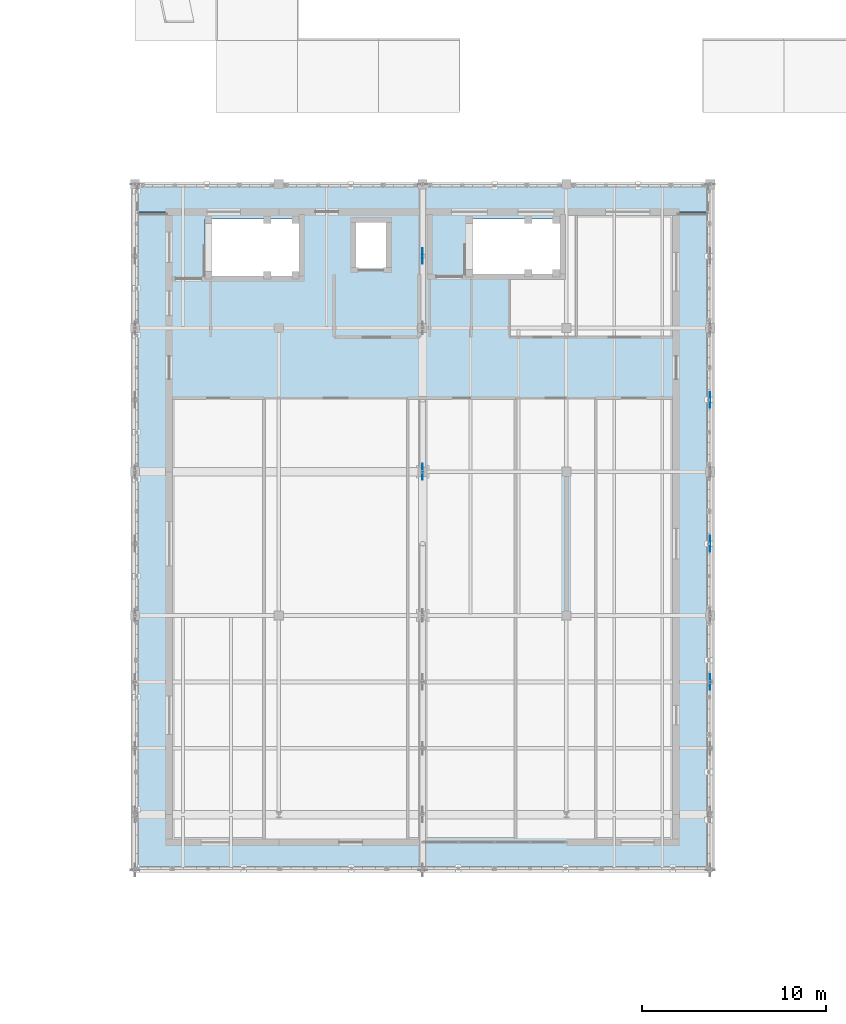
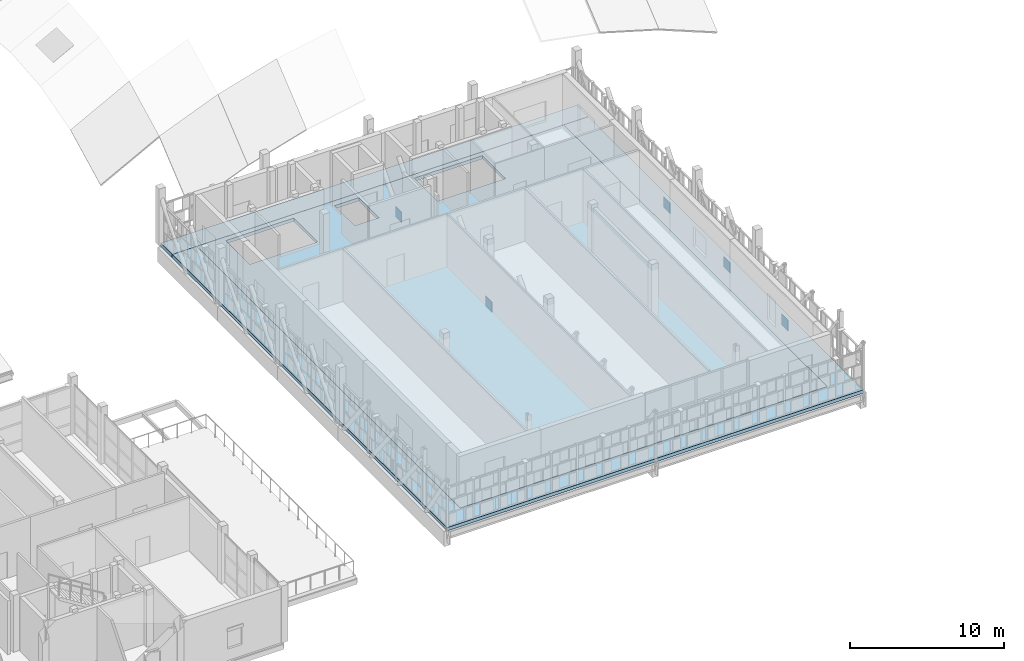
# One storey, part 49 of 89: 5 plates, 3 slabs.
"""IFC4 building model written with IfcOpenShell, lengths in metres."""

from ifc_helpers import new_model, si_unit, direction, frame, origin, origin_2d, place, context, subcontext, project, spatial, polyline, rectangle, outline, extrude, material, layer, layer_set, type_object, element, save


model = new_model("IFC4")

# Units and contexts
model_context = context("Model", 3, precision=1e-05, world=origin(), true_north=direction((0.0, 1.0)))
body_context = subcontext(model_context, "Body", "Model", "MODEL_VIEW")
ifc_project = project(units=[si_unit("LENGTHUNIT", "METRE"), si_unit("AREAUNIT", "SQUARE_METRE"), si_unit("VOLUMEUNIT", "CUBIC_METRE"), si_unit("PLANEANGLEUNIT", "RADIAN"), si_unit("MASSUNIT", "GRAM", prefix="KILO")], contexts=[model_context])

# Site, building, storey
site_placement = place(None, origin())
site = spatial("IfcSite", under=ifc_project, at=site_placement, CompositionType="ELEMENT")
building_placement = place(site_placement, origin())
building = spatial("IfcBuilding", under=site, at=building_placement, Name="Celorna Specialist Clinic", CompositionType="ELEMENT")
storey_placement = place(building_placement, frame((0.0, 0.0, 14.10009765625)))
storey = spatial("IfcBuildingStorey", under=building, at=storey_placement, Name="L03", CompositionType="ELEMENT", Elevation=14.10009765625)

# Plates
ifc_material_1 = material(Name="Steel S355", Category="steel")
ifc_layer_1 = layer(ifc_material_1, 0.028076171875, Name="Steel S355")
ifc_layer_set_1 = layer_set([ifc_layer_1], Name="Steel S355")
plate_type = type_object("IfcPlateType", Name="GP-01", PredefinedType="USERDEFINED", material=ifc_layer_set_1)
for number, where, z_axis, x_axis, name in (
    (1, (70.199951171875, 27.300048828125, -1.26025390625), (0.0, 0.0, 1.0), (0.0, 1.0, 0.0), "Truss node gusset plate TN-046"),
    (2, (70.199951171875, 39.0, -1.26025390625), (0.0, 0.0, 1.0), (0.0, 1.0, 0.0), "Truss node gusset plate TN-048"),
    (3, (85.800048828125, 15.89990234375, -1.26025390625), (0.0, 0.0, 1.0), (0.0, 1.0, 0.0), "Truss node gusset plate TN-068"),
    (4, (85.800048828125, 23.39990234375, -1.26025390625), (0.0, 0.0, 1.0), (0.0, 1.0, 0.0), "Truss node gusset plate TN-070"),
    (5, (85.800048828125, 31.199951171875, -1.26025390625), (0.0, 0.0, 1.0), (0.0, 1.0, 0.0), "Truss node gusset plate TN-072"),
):
    element("IfcPlate", number, at=place(storey_placement, frame(where, z_axis=z_axis, x_axis=x_axis)), inside=storey, type_object=plate_type, Name=name, ObjectType="GUSSET PLATE", PredefinedType="USERDEFINED", context=body_context, shape_type="SweptSolid", body=[
        extrude(rectangle(XDim=0.85009765625, YDim=0.028076171875, at=origin_2d()), origin(), (0.0, 0.0, 1.0), 0.85009765625),
    ])

# Slabs
ifc_material_2 = material(Name="Concrete C35/45", Category="concrete")
ifc_layer_2 = layer(ifc_material_2, 0.260009765625, Name="Concrete C35/45")
ifc_layer_set_2 = layer_set([ifc_layer_2], Name="Concrete C35/45")
slab_type_1 = type_object("IfcSlabType", Name="SL-07", PredefinedType="FLOOR", material=ifc_layer_set_2)
slab_1_placement = place(storey_placement, frame((0.0, 0.0, -0.260009765625)))
element("IfcSlab", 6, at=slab_1_placement, inside=storey, type_object=slab_type_1, Name="Research Wing Cantilever Veranda L03", PredefinedType="FLOOR", context=body_context, shape_type="SweptSolid", body=[
    extrude(outline(polyline([(54.60009765625, 5.699951171875), (85.800048828125, 5.699951171875), (85.800048828125, 41.39990234375), (83.949951171875, 41.39990234375), (83.949951171875, 7.199951171875), (56.449951171875, 7.199951171875), (56.449951171875, 41.39990234375), (54.60009765625, 41.39990234375), (54.60009765625, 5.699951171875)])), origin(), (0.0, 0.0, 1.0), 0.260009765625),
])
slab_2_placement = place(storey_placement, frame((0.0, 0.0, -0.260009765625)))
element("IfcSlab", 7, at=slab_2_placement, inside=storey, type_object=slab_type_1, Name="Research Wing North Court Veranda L03", PredefinedType="FLOOR", context=body_context, shape_type="SweptSolid", body=[
    extrude(outline(polyline([(54.60009765625, 41.39990234375), (85.800048828125, 41.39990234375), (85.800048828125, 42.89990234375), (54.60009765625, 42.89990234375), (54.60009765625, 41.39990234375)])), origin(), (0.0, 0.0, 1.0), 0.260009765625),
])
ifc_layer_3 = layer(ifc_material_2, 0.260009765625, Name="Concrete C35/45")
ifc_layer_set_3 = layer_set([ifc_layer_3], Name="Concrete C35/45")
slab_type_2 = type_object("IfcSlabType", Name="SL-08", PredefinedType="FLOOR", material=ifc_layer_set_3)
slab_3_placement = place(storey_placement, frame((0.0, 0.0, -0.260009765625)))
element("IfcSlab", 8, at=slab_3_placement, inside=storey, type_object=slab_type_2, Name="V6 L03 structural slab SL-08", PredefinedType="FLOOR", context=body_context, shape_type="SweptSolid", body=[
    extrude(outline(polyline([(83.949951171875, 7.199951171875), (83.949951171875, 41.39990234375), (56.449951171875, 41.39990234375), (56.449951171875, 7.199951171875), (83.949951171875, 7.199951171875)]), holes=[polyline([(58.39990234375, 37.919921875), (63.5, 37.919921875), (63.5, 41.02001953125), (58.39990234375, 41.02001953125), (58.39990234375, 37.919921875)]), polyline([(72.5400390625, 38.02001953125), (77.639892578125, 38.02001953125), (77.639892578125, 41.02001953125), (72.5400390625, 41.02001953125), (72.5400390625, 38.02001953125)]), polyline([(66.4951171875, 38.294921875), (68.304931640625, 38.294921875), (68.304931640625, 40.905029296875), (66.4951171875, 40.905029296875), (66.4951171875, 38.294921875)])]), origin(), (0.0, 0.0, 1.0), 0.260009765625),
])

save(model, "model.ifc")
